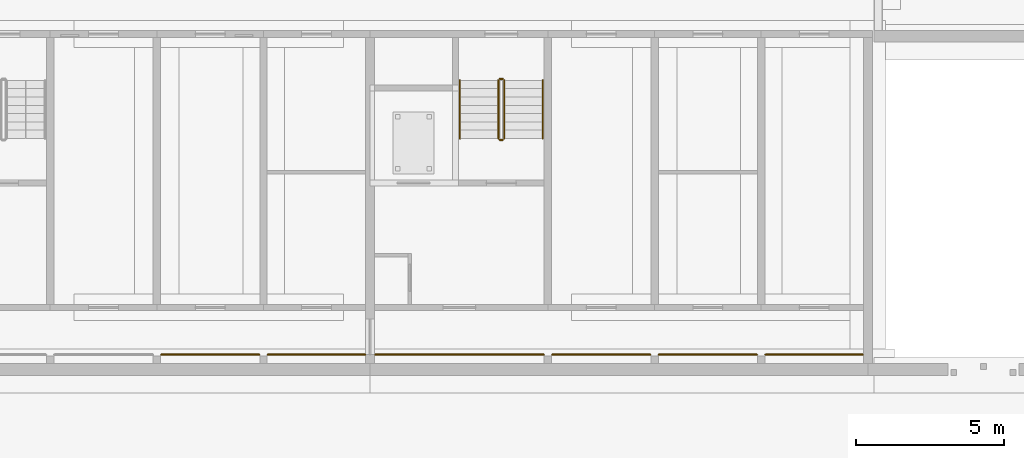
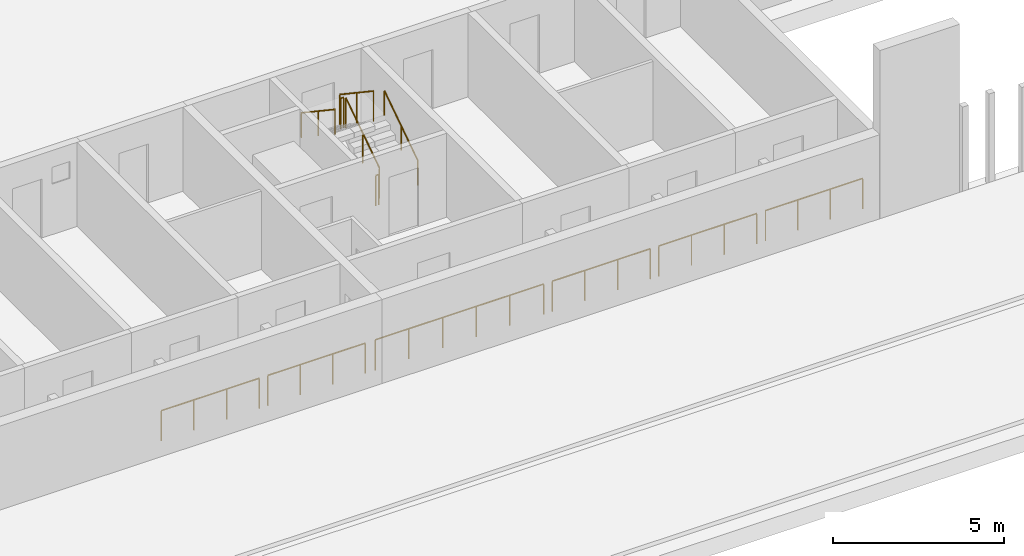
# One storey, part 103 of 112: 12 railings.
"""IFC4 building model written with IfcOpenShell, lengths in metres."""

import ifcopenshell
import ifcopenshell.guid

model = None  # the IFC model being written
_history = None  # IfcOwnerHistory: only IFC2X3 demands one
_inside = {}  # id of a spatial element -> (the spatial element, [elements in it])
_under = {}  # id of a project, library or spatial element -> (it, [spatial elements below it])
_declared = {}  # id of a project -> (the project, [libraries it declares])
_typed = {}  # id of a type object -> (the type object, [elements of that type])
_made_of = {}  # id of a material, layer set ... -> (it, [elements and type objects made of it])


def new_model(schema):
    """Start an empty IFC model of exactly this schema.

    Asked for "IFC4X3", IfcOpenShell would pick the latest addendum, in which some entities
    have other attributes; the version numbers below select the first issue.
    IFC2X3 requires an IfcOwnerHistory on every rooted entity: one is made here for all.
    """
    global model, _history
    if schema == "IFC4X3":
        model = ifcopenshell.file(schema_version=(4, 3, 0, 0))
    else:
        model = ifcopenshell.file(schema=schema)
    _inside.clear()
    _under.clear()
    _declared.clear()
    _typed.clear()
    _made_of.clear()
    _history = None
    if model.schema == "IFC2X3":
        org = make("IfcOrganization", Name="unknown")
        user = make(
            "IfcPersonAndOrganization",
            ThePerson=make("IfcPerson", FamilyName="unknown"),
            TheOrganization=org,
        )
        app = make(
            "IfcApplication",
            ApplicationDeveloper=org,
            Version="unknown",
            ApplicationFullName="unknown",
            ApplicationIdentifier="unknown",
        )
        _history = make(
            "IfcOwnerHistory",
            OwningUser=user,
            OwningApplication=app,
            ChangeAction="ADDED",
            CreationDate=0,
        )
    return model


def make(cls, **values):
    """One entity of the class cls with the attributes given. An attribute that is None is left unset."""
    return model.create_entity(
        cls, **{name: value for name, value in values.items() if value is not None}
    )


def rooted(cls, **values):
    """An entity with a GlobalId (a new one), such as an element, a storey or a relation."""
    return make(cls, GlobalId=ifcopenshell.guid.new(), OwnerHistory=_history, **values)


def si_unit(unit_type, name, prefix=None):
    """IfcSIUnit, for example si_unit("LENGTHUNIT", "METRE", prefix="MILLI")."""
    return make("IfcSIUnit", UnitType=unit_type, Prefix=prefix, Name=name)


def assignment(units):
    """IfcUnitAssignment: the units of a project."""
    return None if units is None else make("IfcUnitAssignment", Units=units)


def point(xyz):
    """IfcCartesianPoint."""
    return None if xyz is None else make("IfcCartesianPoint", Coordinates=xyz)


def direction(xyz):
    """IfcDirection."""
    return None if xyz is None else make("IfcDirection", DirectionRatios=xyz)


def frame(location, z_axis=None, x_axis=None):
    """IfcAxis2Placement3D, a coordinate frame: its origin and axes. An axis left out is left unset."""
    return make(
        "IfcAxis2Placement3D",
        Location=point(location),
        Axis=direction(z_axis),
        RefDirection=direction(x_axis),
    )


def frame_2d(location, x_axis=None):
    """IfcAxis2Placement2D, a coordinate frame in the plane: its origin and x axis."""
    return make(
        "IfcAxis2Placement2D", Location=point(location), RefDirection=direction(x_axis)
    )


def origin():
    """The frame at (0, 0, 0) with its axes left unset."""
    return frame((0.0, 0.0, 0.0))


def origin_2d():
    """The frame at (0, 0) in the plane with its x axis left unset."""
    return frame_2d((0.0, 0.0))


def place(relative_to, where):
    """IfcLocalPlacement: puts the frame where relative to a parent placement (None: the world)."""
    return make(
        "IfcLocalPlacement", PlacementRelTo=relative_to, RelativePlacement=where
    )


def context(
    kind, dimensions, precision=None, world=None, true_north=None, identifier=None
):
    """IfcGeometricRepresentationContext, for example the 3D "Model" context."""
    return make(
        "IfcGeometricRepresentationContext",
        ContextIdentifier=identifier,
        ContextType=kind,
        CoordinateSpaceDimension=dimensions,
        Precision=precision,
        WorldCoordinateSystem=world,
        TrueNorth=true_north,
    )


def subcontext(parent, identifier, kind, view, scale=None):
    """IfcGeometricRepresentationSubContext, for example "Body" below "Model"."""
    return make(
        "IfcGeometricRepresentationSubContext",
        ContextIdentifier=identifier,
        ContextType=kind,
        ParentContext=parent,
        TargetScale=scale,
        TargetView=view,
    )


def project(units=None, contexts=None):
    """IfcProject with its units and contexts."""
    return rooted(
        "IfcProject",
        Name="project",
        RepresentationContexts=contexts,
        UnitsInContext=assignment(units),
    )


def spatial(cls, under=None, at=None, **own):
    """A site, building, storey or space (cls), placed at a placement, below another one or the project."""
    s = rooted(cls, ObjectPlacement=at, **own)
    if under is not None:
        _under.setdefault(under.id(), (under, []))[1].append(s)
    return s


def profile(cls, at=None, kind="AREA", **sizes):
    """A parametric profile (cls). Its sizes go by their IFC names, for example OverallWidth=200.0."""
    return make(cls, ProfileType=kind, Position=at, **sizes)


def circle(**sizes):
    """IfcCircleProfileDef."""
    return profile("IfcCircleProfileDef", **sizes)


def extrude(swept, where, along, depth):
    """IfcExtrudedAreaSolid: the profile swept, set in the frame where, extruded along a direction by depth."""
    return make(
        "IfcExtrudedAreaSolid",
        SweptArea=swept,
        Position=where,
        ExtrudedDirection=direction(along),
        Depth=depth,
    )


def shape(context_of_items, identifier, shape_type, items):
    """IfcShapeRepresentation: the items that make up one representation, for example the "Body"."""
    return make(
        "IfcShapeRepresentation",
        ContextOfItems=context_of_items,
        RepresentationIdentifier=identifier,
        RepresentationType=shape_type,
        Items=items,
    )


def material(Name=None, Category=None):
    """IfcMaterial."""
    return make("IfcMaterial", Name=Name, Category=Category)


def made_of(thing, what):
    """Note that an element or type object is made of a material, layer set ...; save() writes the relation."""
    if what is not None:
        _made_of.setdefault(what.id(), (what, []))[1].append(thing)
    return thing


def type_object(cls, material=None, **own):
    """A type object (cls), such as IfcWallType, which elements share."""
    return made_of(rooted(cls, **own), material)


def element(
    cls,
    number,
    at=None,
    inside=None,
    cuts=None,
    type_object=None,
    material=None,
    context=None,
    identifier="Body",
    shape_type=None,
    held_by="IfcProductDefinitionShape",
    body=None,
    shapes=None,
    **own,
):
    """One element of the class cls, such as IfcWall. Its Tag is "e" and its number.

    at: its placement. inside: the storey or other place that contains it. cuts: it is an
    opening in that element (IfcRelVoidsElement). A single representation is given by context,
    identifier, shape_type and body (its items); several are given by shapes. held_by: the class
    of the entity that holds the representations. save() writes the other relations.
    """
    e = rooted(cls, Tag="e%d" % number, ObjectPlacement=at, **own)
    if body is not None:
        shapes = [shape(context, identifier, shape_type, body)]
    if shapes is not None:
        e.Representation = make(held_by, Representations=shapes)
    if inside is not None:
        _inside.setdefault(inside.id(), (inside, []))[1].append(e)
    if cuts is not None:
        rooted(
            "IfcRelVoidsElement", RelatingBuildingElement=cuts, RelatedOpeningElement=e
        )
    if type_object is not None:
        _typed.setdefault(type_object.id(), (type_object, []))[1].append(e)
    return made_of(e, material)


def aggregate(whole, parts):
    """IfcRelAggregates: a whole, such as a stair, and the parts it consists of."""
    return rooted("IfcRelAggregates", RelatingObject=whole, RelatedObjects=parts)


def save(model, path):
    """Write the relations noted so far, then the file.

    IfcRelAggregates (storeys below a building ...), IfcRelContainedInSpatialStructure (elements
    in a storey), IfcRelDefinesByType, IfcRelAssociatesMaterial and IfcRelDeclares: one each for
    every whole, place, type object, material and project.
    """
    for whole, parts in _under.values():
        aggregate(whole, parts)
    for where, things in _inside.values():
        rooted(
            "IfcRelContainedInSpatialStructure",
            RelatedElements=things,
            RelatingStructure=where,
        )
    for kind, things in _typed.values():
        rooted("IfcRelDefinesByType", RelatedObjects=things, RelatingType=kind)
    for what, things in _made_of.values():
        rooted("IfcRelAssociatesMaterial", RelatedObjects=things, RelatingMaterial=what)
    for by, libraries in _declared.values():
        rooted("IfcRelDeclares", RelatingContext=by, RelatedDefinitions=libraries)
    model.write(path)


model = new_model("IFC4")

# Units and contexts
model_context = context("Model", 3, precision=1e-05, world=origin(), true_north=direction((0.0, 1.0)))
body_context = subcontext(model_context, "Body", "Model", "MODEL_VIEW")
ifc_project = project(units=[si_unit("LENGTHUNIT", "METRE"), si_unit("AREAUNIT", "SQUARE_METRE"), si_unit("VOLUMEUNIT", "CUBIC_METRE"), si_unit("PLANEANGLEUNIT", "RADIAN"), si_unit("MASSUNIT", "GRAM", prefix="KILO")], contexts=[model_context])

# Site, building, storey
site_placement = place(None, origin())
site = spatial("IfcSite", under=ifc_project, at=site_placement, CompositionType="ELEMENT")
building_placement = place(site_placement, origin())
building = spatial("IfcBuilding", under=site, at=building_placement, Name="Ridgestep Commons", CompositionType="ELEMENT")
storey_placement = place(building_placement, origin())
storey = spatial("IfcBuildingStorey", under=building, at=storey_placement, Name="L00", CompositionType="ELEMENT", Elevation=0.0)

# Railings
ifc_material_1 = material(Name="Structural steel S355JR galvanised", Category="steel")
railing_type_1 = type_object("IfcRailingType", Name="Passage guard 1100", PredefinedType="GUARDRAIL", material=ifc_material_1)
railing_1_placement = place(storey_placement, frame((223.74609375, 12.050048828125, 0.0)))
element("IfcRailing", 1, at=railing_1_placement, inside=storey, type_object=railing_type_1, Name="Passage guard D 00.19", PredefinedType="GUARDRAIL", context=body_context, shape_type="SweptSolid", body=[
    extrude(circle(Radius=0.02392578125, at=origin_2d()), frame((0.0, 0.0, 1.076171875), z_axis=(1.0, 0.0, 0.0), x_axis=(0.0, 1.0, 0.0)), (0.0, 0.0, 1.0), 3.307861328125),
    extrude(circle(Radius=0.02099609375, at=origin_2d()), origin(), (0.0, 0.0, 1.0), 1.052001953125),
    extrude(circle(Radius=0.02099609375, at=origin_2d()), frame((1.1025390625, 0.0, 0.0)), (0.0, 0.0, 1.0), 1.052001953125),
    extrude(circle(Radius=0.02099609375, at=origin_2d()), frame((2.205322265625, 0.0, 0.0)), (0.0, 0.0, 1.0), 1.052001953125),
    extrude(circle(Radius=0.02099609375, at=origin_2d()), frame((3.307861328125, 0.0, 0.0)), (0.0, 0.0, 1.0), 1.052001953125),
])
railing_2_placement = place(storey_placement, frame((227.345947265625, 12.050048828125, 0.0)))
element("IfcRailing", 2, at=railing_2_placement, inside=storey, type_object=railing_type_1, Name="Passage guard D 00.20", PredefinedType="GUARDRAIL", context=body_context, shape_type="SweptSolid", body=[
    extrude(circle(Radius=0.02392578125, at=origin_2d()), frame((0.0, 0.0, 1.076171875), z_axis=(1.0, 0.0, 0.0), x_axis=(0.0, 1.0, 0.0)), (0.0, 0.0, 1.0), 3.282958984375),
    extrude(circle(Radius=0.02099609375, at=origin_2d()), origin(), (0.0, 0.0, 1.0), 1.052001953125),
    extrude(circle(Radius=0.02099609375, at=origin_2d()), frame((1.09423828125, 0.0, 0.0)), (0.0, 0.0, 1.0), 1.052001953125),
    extrude(circle(Radius=0.02099609375, at=origin_2d()), frame((2.188720703125, 0.0, 0.0)), (0.0, 0.0, 1.0), 1.052001953125),
    extrude(circle(Radius=0.02099609375, at=origin_2d()), frame((3.282958984375, 0.0, 0.0)), (0.0, 0.0, 1.0), 1.052001953125),
])
railing_3_placement = place(storey_placement, frame((230.970947265625, 12.050048828125, 0.0)))
element("IfcRailing", 3, at=railing_3_placement, inside=storey, type_object=railing_type_1, Name="Passage guard D 00.21", PredefinedType="GUARDRAIL", context=body_context, shape_type="SweptSolid", body=[
    extrude(circle(Radius=0.02392578125, at=origin_2d()), frame((0.0, 0.0, 1.076171875), z_axis=(1.0, 0.0, 0.0), x_axis=(0.0, 1.0, 0.0)), (0.0, 0.0, 1.0), 5.68310546875),
    extrude(circle(Radius=0.02099609375, at=origin_2d()), origin(), (0.0, 0.0, 1.0), 1.052001953125),
    extrude(circle(Radius=0.02099609375, at=origin_2d()), frame((1.13671875, 0.0, 0.0)), (0.0, 0.0, 1.0), 1.052001953125),
    extrude(circle(Radius=0.02099609375, at=origin_2d()), frame((2.273193359375, 0.0, 0.0)), (0.0, 0.0, 1.0), 1.052001953125),
    extrude(circle(Radius=0.02099609375, at=origin_2d()), frame((3.409912109375, 0.0, 0.0)), (0.0, 0.0, 1.0), 1.052001953125),
    extrude(circle(Radius=0.02099609375, at=origin_2d()), frame((4.54638671875, 0.0, 0.0)), (0.0, 0.0, 1.0), 1.052001953125),
    extrude(circle(Radius=0.02099609375, at=origin_2d()), frame((5.68310546875, 0.0, 0.0)), (0.0, 0.0, 1.0), 1.052001953125),
])
railing_4_placement = place(storey_placement, frame((236.946044921875, 12.050048828125, 0.0)))
element("IfcRailing", 4, at=railing_4_placement, inside=storey, type_object=railing_type_1, Name="Passage guard D 00.22", PredefinedType="GUARDRAIL", context=body_context, shape_type="SweptSolid", body=[
    extrude(circle(Radius=0.02392578125, at=origin_2d()), frame((0.0, 0.0, 1.076171875), z_axis=(1.0, 0.0, 0.0), x_axis=(0.0, 1.0, 0.0)), (0.0, 0.0, 1.0), 3.307861328125),
    extrude(circle(Radius=0.02099609375, at=origin_2d()), origin(), (0.0, 0.0, 1.0), 1.052001953125),
    extrude(circle(Radius=0.02099609375, at=origin_2d()), frame((1.1025390625, 0.0, 0.0)), (0.0, 0.0, 1.0), 1.052001953125),
    extrude(circle(Radius=0.02099609375, at=origin_2d()), frame((2.205322265625, 0.0, 0.0)), (0.0, 0.0, 1.0), 1.052001953125),
    extrude(circle(Radius=0.02099609375, at=origin_2d()), frame((3.307861328125, 0.0, 0.0)), (0.0, 0.0, 1.0), 1.052001953125),
])
railing_5_placement = place(storey_placement, frame((240.5458984375, 12.050048828125, 0.0)))
element("IfcRailing", 5, at=railing_5_placement, inside=storey, type_object=railing_type_1, Name="Passage guard D 00.23", PredefinedType="GUARDRAIL", context=body_context, shape_type="SweptSolid", body=[
    extrude(circle(Radius=0.02392578125, at=origin_2d()), frame((0.0, 0.0, 1.076171875), z_axis=(1.0, 0.0, 0.0), x_axis=(0.0, 1.0, 0.0)), (0.0, 0.0, 1.0), 3.30810546875),
    extrude(circle(Radius=0.02099609375, at=origin_2d()), origin(), (0.0, 0.0, 1.0), 1.052001953125),
    extrude(circle(Radius=0.02099609375, at=origin_2d()), frame((1.102783203125, 0.0, 0.0)), (0.0, 0.0, 1.0), 1.052001953125),
    extrude(circle(Radius=0.02099609375, at=origin_2d()), frame((2.205322265625, 0.0, 0.0)), (0.0, 0.0, 1.0), 1.052001953125),
    extrude(circle(Radius=0.02099609375, at=origin_2d()), frame((3.30810546875, 0.0, 0.0)), (0.0, 0.0, 1.0), 1.052001953125),
])
railing_6_placement = place(storey_placement, frame((244.14599609375, 12.050048828125, 0.0)))
element("IfcRailing", 6, at=railing_6_placement, inside=storey, type_object=railing_type_1, Name="Passage guard D 00.24", PredefinedType="GUARDRAIL", context=body_context, shape_type="SweptSolid", body=[
    extrude(circle(Radius=0.02392578125, at=origin_2d()), frame((0.0, 0.0, 1.076171875), z_axis=(1.0, 0.0, 0.0), x_axis=(0.0, 1.0, 0.0)), (0.0, 0.0, 1.0), 3.282958984375),
    extrude(circle(Radius=0.02099609375, at=origin_2d()), origin(), (0.0, 0.0, 1.0), 1.052001953125),
    extrude(circle(Radius=0.02099609375, at=origin_2d()), frame((1.09423828125, 0.0, 0.0)), (0.0, 0.0, 1.0), 1.052001953125),
    extrude(circle(Radius=0.02099609375, at=origin_2d()), frame((2.188720703125, 0.0, 0.0)), (0.0, 0.0, 1.0), 1.052001953125),
    extrude(circle(Radius=0.02099609375, at=origin_2d()), frame((3.282958984375, 0.0, 0.0)), (0.0, 0.0, 1.0), 1.052001953125),
])
ifc_material_2 = material(Name="Structural steel S355JR", Category="steel")
railing_type_2 = type_object("IfcRailingType", Name="Stair guard 1100", PredefinedType="GUARDRAIL", material=ifc_material_2)
railing_7_placement = place(storey_placement, frame((235.324951171875, 19.35009765625, 0.1875)))
element("IfcRailing", 7, at=railing_7_placement, inside=storey, type_object=railing_type_2, Name="L00 D6C stair guard 1", PredefinedType="GUARDRAIL", context=body_context, shape_type="SweptSolid", body=[
    extrude(circle(Radius=0.02392578125, at=origin_2d()), frame((0.0, 0.0, 1.076171875), z_axis=(0.0, 0.830902050051, 0.556418712142), x_axis=(-1.0, 0.0, 0.0)), (0.0, 0.0, 1.0), 2.35888671875),
    extrude(circle(Radius=0.02099609375, at=origin_2d()), origin(), (0.0, 0.0, 1.0), 1.052001953125),
    extrude(circle(Radius=0.02099609375, at=origin_2d()), frame((0.0, 0.97998046875, 0.65625)), (0.0, 0.0, 1.0), 1.052001953125),
    extrude(circle(Radius=0.02099609375, at=origin_2d()), frame((0.0, 1.9599609375, 1.3125)), (0.0, 0.0, 1.0), 1.052001953125),
])
railing_8_placement = place(storey_placement, frame((235.27490234375, 21.360107421875, 1.5)))
element("IfcRailing", 8, at=railing_8_placement, inside=storey, type_object=railing_type_2, Name="L00 D6C stair guard 2", PredefinedType="GUARDRAIL", context=body_context, shape_type="SweptSolid", body=[
    extrude(circle(Radius=0.02392578125, at=origin_2d()), frame((0.0, 0.0, 1.076171875), z_axis=(-1.0, 0.0, 0.0), x_axis=(0.0, -1.0, 0.0)), (0.0, 0.0, 1.0), 0.099853515625),
    extrude(circle(Radius=0.02099609375, at=origin_2d()), origin(), (0.0, 0.0, 1.0), 1.052001953125),
    extrude(circle(Radius=0.02099609375, at=origin_2d()), frame((-0.099853515625, 0.0, 0.0)), (0.0, 0.0, 1.0), 1.052001953125),
])
railing_9_placement = place(storey_placement, frame((235.125, 21.31005859375, 1.6875)))
element("IfcRailing", 9, at=railing_9_placement, inside=storey, type_object=railing_type_2, Name="L00 D6C stair guard 3", PredefinedType="GUARDRAIL", context=body_context, shape_type="SweptSolid", body=[
    extrude(circle(Radius=0.02392578125, at=origin_2d()), frame((0.0, 0.0, 1.076171875), z_axis=(0.0, -0.830902050051, 0.556418712142), x_axis=(1.0, 0.0, 0.0)), (0.0, 0.0, 1.0), 2.35888671875),
    extrude(circle(Radius=0.02099609375, at=origin_2d()), origin(), (0.0, 0.0, 1.0), 1.052001953125),
    extrude(circle(Radius=0.02099609375, at=origin_2d()), frame((0.0, -0.97998046875, 0.65625)), (0.0, 0.0, 1.0), 1.052001953125),
    extrude(circle(Radius=0.02099609375, at=origin_2d()), frame((0.0, -1.9599609375, 1.3125)), (0.0, 0.0, 1.0), 1.052001953125),
])
railing_10_placement = place(storey_placement, frame((235.27490234375, 19.300048828125, 0.0)))
element("IfcRailing", 10, at=railing_10_placement, inside=storey, type_object=railing_type_2, Name="L00 D6C stair guard 4", PredefinedType="GUARDRAIL", context=body_context, shape_type="SweptSolid", body=[
    extrude(circle(Radius=0.02392578125, at=origin_2d()), frame((0.0, 0.0, 1.076171875), z_axis=(-1.0, 0.0, 0.0), x_axis=(0.0, -1.0, 0.0)), (0.0, 0.0, 1.0), 0.099853515625),
    extrude(circle(Radius=0.02099609375, at=origin_2d()), origin(), (0.0, 0.0, 1.0), 1.052001953125),
    extrude(circle(Radius=0.02099609375, at=origin_2d()), frame((-0.099853515625, 0.0, 0.0)), (0.0, 0.0, 1.0), 1.052001953125),
])
ifc_material_3 = material(Name="Structural steel S355JR", Category="steel")
railing_type_3 = type_object("IfcRailingType", Name="Stair handrail 900", PredefinedType="HANDRAIL", material=ifc_material_3)
railing_11_placement = place(storey_placement, frame((236.625, 19.35009765625, 0.1875)))
element("IfcRailing", 11, at=railing_11_placement, inside=storey, type_object=railing_type_3, Name="L00 D6C stair handrail 1", PredefinedType="HANDRAIL", context=body_context, shape_type="SweptSolid", body=[
    extrude(circle(Radius=0.02392578125, at=origin_2d()), frame((0.0, 0.0, 0.8759765625), z_axis=(0.0, 0.830902050051, 0.556418712142), x_axis=(-1.0, 0.0, 0.0)), (0.0, 0.0, 1.0), 2.35888671875),
    extrude(circle(Radius=0.02099609375, at=origin_2d()), origin(), (0.0, 0.0, 1.0), 0.851806640625),
    extrude(circle(Radius=0.02099609375, at=origin_2d()), frame((0.0, 0.97998046875, 0.65625)), (0.0, 0.0, 1.0), 0.851806640625),
    extrude(circle(Radius=0.02099609375, at=origin_2d()), frame((0.0, 1.9599609375, 1.3125)), (0.0, 0.0, 1.0), 0.851806640625),
])
railing_12_placement = place(storey_placement, frame((233.824951171875, 21.31005859375, 1.6875)))
element("IfcRailing", 12, at=railing_12_placement, inside=storey, type_object=railing_type_3, Name="L00 D6C stair handrail 2", PredefinedType="HANDRAIL", context=body_context, shape_type="SweptSolid", body=[
    extrude(circle(Radius=0.02392578125, at=origin_2d()), frame((0.0, 0.0, 0.8759765625), z_axis=(0.0, -0.830902050051, 0.556418712142), x_axis=(1.0, 0.0, 0.0)), (0.0, 0.0, 1.0), 2.35888671875),
    extrude(circle(Radius=0.02099609375, at=origin_2d()), origin(), (0.0, 0.0, 1.0), 0.851806640625),
    extrude(circle(Radius=0.02099609375, at=origin_2d()), frame((0.0, -0.97998046875, 0.65625)), (0.0, 0.0, 1.0), 0.851806640625),
    extrude(circle(Radius=0.02099609375, at=origin_2d()), frame((0.0, -1.9599609375, 1.3125)), (0.0, 0.0, 1.0), 0.851806640625),
])

save(model, "model.ifc")
